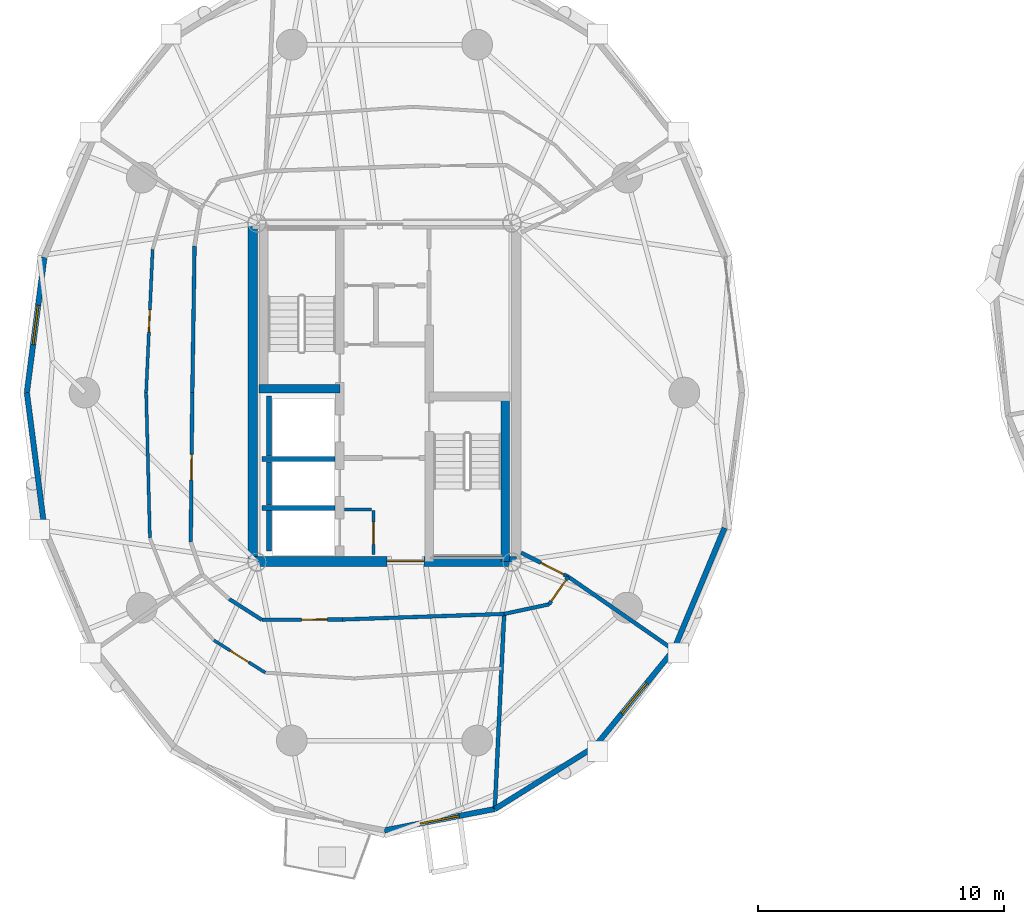
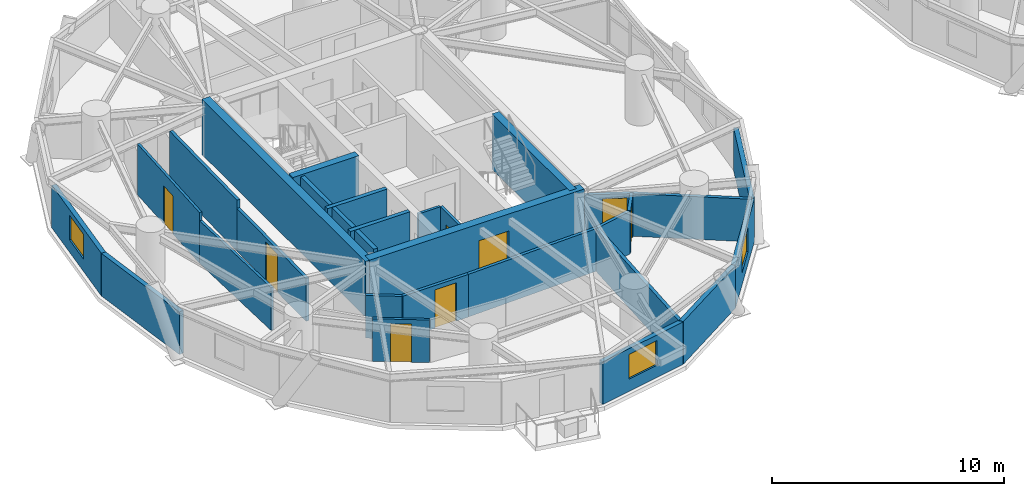
# One storey, part 11 of 19: 30 walls, 8 doors, 3 windows, 11 openings.
"""IFC4 building model written with IfcOpenShell, lengths in metres."""

import ifcopenshell
import ifcopenshell.guid

model = None  # the IFC model being written
_history = None  # IfcOwnerHistory: only IFC2X3 demands one
_inside = {}  # id of a spatial element -> (the spatial element, [elements in it])
_under = {}  # id of a project, library or spatial element -> (it, [spatial elements below it])
_declared = {}  # id of a project -> (the project, [libraries it declares])
_typed = {}  # id of a type object -> (the type object, [elements of that type])
_made_of = {}  # id of a material, layer set ... -> (it, [elements and type objects made of it])


def new_model(schema):
    """Start an empty IFC model of exactly this schema.

    Asked for "IFC4X3", IfcOpenShell would pick the latest addendum, in which some entities
    have other attributes; the version numbers below select the first issue.
    IFC2X3 requires an IfcOwnerHistory on every rooted entity: one is made here for all.
    """
    global model, _history
    if schema == "IFC4X3":
        model = ifcopenshell.file(schema_version=(4, 3, 0, 0))
    else:
        model = ifcopenshell.file(schema=schema)
    _inside.clear()
    _under.clear()
    _declared.clear()
    _typed.clear()
    _made_of.clear()
    _history = None
    if model.schema == "IFC2X3":
        org = make("IfcOrganization", Name="unknown")
        user = make(
            "IfcPersonAndOrganization",
            ThePerson=make("IfcPerson", FamilyName="unknown"),
            TheOrganization=org,
        )
        app = make(
            "IfcApplication",
            ApplicationDeveloper=org,
            Version="unknown",
            ApplicationFullName="unknown",
            ApplicationIdentifier="unknown",
        )
        _history = make(
            "IfcOwnerHistory",
            OwningUser=user,
            OwningApplication=app,
            ChangeAction="ADDED",
            CreationDate=0,
        )
    return model


def make(cls, **values):
    """One entity of the class cls with the attributes given. An attribute that is None is left unset."""
    return model.create_entity(
        cls, **{name: value for name, value in values.items() if value is not None}
    )


def rooted(cls, **values):
    """An entity with a GlobalId (a new one), such as an element, a storey or a relation."""
    return make(cls, GlobalId=ifcopenshell.guid.new(), OwnerHistory=_history, **values)


def si_unit(unit_type, name, prefix=None):
    """IfcSIUnit, for example si_unit("LENGTHUNIT", "METRE", prefix="MILLI")."""
    return make("IfcSIUnit", UnitType=unit_type, Prefix=prefix, Name=name)


def assignment(units):
    """IfcUnitAssignment: the units of a project."""
    return None if units is None else make("IfcUnitAssignment", Units=units)


def point(xyz):
    """IfcCartesianPoint."""
    return None if xyz is None else make("IfcCartesianPoint", Coordinates=xyz)


def direction(xyz):
    """IfcDirection."""
    return None if xyz is None else make("IfcDirection", DirectionRatios=xyz)


def frame(location, z_axis=None, x_axis=None):
    """IfcAxis2Placement3D, a coordinate frame: its origin and axes. An axis left out is left unset."""
    return make(
        "IfcAxis2Placement3D",
        Location=point(location),
        Axis=direction(z_axis),
        RefDirection=direction(x_axis),
    )


def frame_2d(location, x_axis=None):
    """IfcAxis2Placement2D, a coordinate frame in the plane: its origin and x axis."""
    return make(
        "IfcAxis2Placement2D", Location=point(location), RefDirection=direction(x_axis)
    )


def origin():
    """The frame at (0, 0, 0) with its axes left unset."""
    return frame((0.0, 0.0, 0.0))


def place(relative_to, where):
    """IfcLocalPlacement: puts the frame where relative to a parent placement (None: the world)."""
    return make(
        "IfcLocalPlacement", PlacementRelTo=relative_to, RelativePlacement=where
    )


def context(
    kind, dimensions, precision=None, world=None, true_north=None, identifier=None
):
    """IfcGeometricRepresentationContext, for example the 3D "Model" context."""
    return make(
        "IfcGeometricRepresentationContext",
        ContextIdentifier=identifier,
        ContextType=kind,
        CoordinateSpaceDimension=dimensions,
        Precision=precision,
        WorldCoordinateSystem=world,
        TrueNorth=true_north,
    )


def subcontext(parent, identifier, kind, view, scale=None):
    """IfcGeometricRepresentationSubContext, for example "Body" below "Model"."""
    return make(
        "IfcGeometricRepresentationSubContext",
        ContextIdentifier=identifier,
        ContextType=kind,
        ParentContext=parent,
        TargetScale=scale,
        TargetView=view,
    )


def project(units=None, contexts=None):
    """IfcProject with its units and contexts."""
    return rooted(
        "IfcProject",
        Name="project",
        RepresentationContexts=contexts,
        UnitsInContext=assignment(units),
    )


def spatial(cls, under=None, at=None, **own):
    """A site, building, storey or space (cls), placed at a placement, below another one or the project."""
    s = rooted(cls, ObjectPlacement=at, **own)
    if under is not None:
        _under.setdefault(under.id(), (under, []))[1].append(s)
    return s


def profile(cls, at=None, kind="AREA", **sizes):
    """A parametric profile (cls). Its sizes go by their IFC names, for example OverallWidth=200.0."""
    return make(cls, ProfileType=kind, Position=at, **sizes)


def rectangle(**sizes):
    """IfcRectangleProfileDef."""
    return profile("IfcRectangleProfileDef", **sizes)


def extrude(swept, where, along, depth):
    """IfcExtrudedAreaSolid: the profile swept, set in the frame where, extruded along a direction by depth."""
    return make(
        "IfcExtrudedAreaSolid",
        SweptArea=swept,
        Position=where,
        ExtrudedDirection=direction(along),
        Depth=depth,
    )


def shape(context_of_items, identifier, shape_type, items):
    """IfcShapeRepresentation: the items that make up one representation, for example the "Body"."""
    return make(
        "IfcShapeRepresentation",
        ContextOfItems=context_of_items,
        RepresentationIdentifier=identifier,
        RepresentationType=shape_type,
        Items=items,
    )


def source(mapping_origin, context_of_items, identifier, shape_type, items):
    """IfcRepresentationMap: a shape defined once, which mapped items show again and again."""
    return make(
        "IfcRepresentationMap",
        MappingOrigin=mapping_origin,
        MappedRepresentation=shape(context_of_items, identifier, shape_type, items),
    )


def transform(
    local_origin,
    x_axis=None,
    y_axis=None,
    z_axis=None,
    scale=None,
    scale2=None,
    scale3=None,
    uniform=True,
):
    """IfcCartesianTransformationOperator3D, or its non-uniform kind. x_axis, y_axis, z_axis: its Axis1, 2, 3."""
    if uniform:
        return make(
            "IfcCartesianTransformationOperator3D",
            Axis1=direction(x_axis),
            Axis2=direction(y_axis),
            LocalOrigin=point(local_origin),
            Scale=scale,
            Axis3=direction(z_axis),
        )
    return make(
        "IfcCartesianTransformationOperator3DnonUniform",
        Axis1=direction(x_axis),
        Axis2=direction(y_axis),
        LocalOrigin=point(local_origin),
        Scale=scale,
        Axis3=direction(z_axis),
        Scale2=scale2,
        Scale3=scale3,
    )


def mapped(mapping_source, mapping_target):
    """IfcMappedItem: shows the shape of a source again, moved by a transform."""
    return make(
        "IfcMappedItem", MappingSource=mapping_source, MappingTarget=mapping_target
    )


def material(Name=None, Category=None):
    """IfcMaterial."""
    return make("IfcMaterial", Name=Name, Category=Category)


def layer(
    of_material, thickness, ventilated=None, Name=None, Category=None, Priority=None
):
    """IfcMaterialLayer: one layer of a wall or slab, of a material (None: an air gap)."""
    return make(
        "IfcMaterialLayer",
        Material=of_material,
        LayerThickness=thickness,
        IsVentilated=ventilated,
        Name=Name,
        Category=Category,
        Priority=Priority,
    )


def layer_set(layers, Name=None):
    """IfcMaterialLayerSet."""
    return make("IfcMaterialLayerSet", MaterialLayers=layers, LayerSetName=Name)


def made_of(thing, what):
    """Note that an element or type object is made of a material, layer set ...; save() writes the relation."""
    if what is not None:
        _made_of.setdefault(what.id(), (what, []))[1].append(thing)
    return thing


def type_object(cls, material=None, **own):
    """A type object (cls), such as IfcWallType, which elements share."""
    return made_of(rooted(cls, **own), material)


def element(
    cls,
    number,
    at=None,
    inside=None,
    cuts=None,
    type_object=None,
    material=None,
    context=None,
    identifier="Body",
    shape_type=None,
    held_by="IfcProductDefinitionShape",
    body=None,
    shapes=None,
    **own,
):
    """One element of the class cls, such as IfcWall. Its Tag is "e" and its number.

    at: its placement. inside: the storey or other place that contains it. cuts: it is an
    opening in that element (IfcRelVoidsElement). A single representation is given by context,
    identifier, shape_type and body (its items); several are given by shapes. held_by: the class
    of the entity that holds the representations. save() writes the other relations.
    """
    e = rooted(cls, Tag="e%d" % number, ObjectPlacement=at, **own)
    if body is not None:
        shapes = [shape(context, identifier, shape_type, body)]
    if shapes is not None:
        e.Representation = make(held_by, Representations=shapes)
    if inside is not None:
        _inside.setdefault(inside.id(), (inside, []))[1].append(e)
    if cuts is not None:
        rooted(
            "IfcRelVoidsElement", RelatingBuildingElement=cuts, RelatedOpeningElement=e
        )
    if type_object is not None:
        _typed.setdefault(type_object.id(), (type_object, []))[1].append(e)
    return made_of(e, material)


def fill(opening, filler):
    """IfcRelFillsElement: the door or window that sits in an opening."""
    return rooted(
        "IfcRelFillsElement",
        RelatingOpeningElement=opening,
        RelatedBuildingElement=filler,
    )


def aggregate(whole, parts):
    """IfcRelAggregates: a whole, such as a stair, and the parts it consists of."""
    return rooted("IfcRelAggregates", RelatingObject=whole, RelatedObjects=parts)


def save(model, path):
    """Write the relations noted so far, then the file.

    IfcRelAggregates (storeys below a building ...), IfcRelContainedInSpatialStructure (elements
    in a storey), IfcRelDefinesByType, IfcRelAssociatesMaterial and IfcRelDeclares: one each for
    every whole, place, type object, material and project.
    """
    for whole, parts in _under.values():
        aggregate(whole, parts)
    for where, things in _inside.values():
        rooted(
            "IfcRelContainedInSpatialStructure",
            RelatedElements=things,
            RelatingStructure=where,
        )
    for kind, things in _typed.values():
        rooted("IfcRelDefinesByType", RelatedObjects=things, RelatingType=kind)
    for what, things in _made_of.values():
        rooted("IfcRelAssociatesMaterial", RelatedObjects=things, RelatingMaterial=what)
    for by, libraries in _declared.values():
        rooted("IfcRelDeclares", RelatingContext=by, RelatedDefinitions=libraries)
    model.write(path)


model = new_model("IFC4")

# Units and contexts
model_context = context("Model", 3, precision=1e-05, world=origin(), true_north=direction((0.0, 1.0)))
body_context = subcontext(model_context, "Body", "Model", "MODEL_VIEW")
ifc_project = project(units=[si_unit("LENGTHUNIT", "METRE"), si_unit("AREAUNIT", "SQUARE_METRE"), si_unit("VOLUMEUNIT", "CUBIC_METRE"), si_unit("PLANEANGLEUNIT", "RADIAN"), si_unit("MASSUNIT", "GRAM", prefix="KILO")], contexts=[model_context])

# Site, building, storey
site_placement = place(None, origin())
site = spatial("IfcSite", under=ifc_project, at=site_placement, CompositionType="ELEMENT")
building_placement = place(site_placement, origin())
building = spatial("IfcBuilding", under=site, at=building_placement, Name="Cununo Teusaquillo Station Towers", CompositionType="ELEMENT")
storey_placement = place(building_placement, frame((0.0, 0.0, 160.330078125)))
storey = spatial("IfcBuildingStorey", under=building, at=storey_placement, Name="L50", CompositionType="ELEMENT", Elevation=160.330078125)

# Walls
ifc_material_1 = material(Name="Concrete C50/60", Category="concrete")
ifc_layer_1 = layer(ifc_material_1, 0.199951171875)
ifc_layer_set_1 = layer_set([ifc_layer_1], Name="Concrete C50/60")
wall_type_1 = type_object("IfcWallType", Name="WL-CORE-200", PredefinedType="SHEAR", material=ifc_layer_set_1)
wall_1_placement = place(storey_placement, frame((11.52001953125, 21.800048828125, 0.0), z_axis=(0.0, 0.0, 1.0), x_axis=(1.0, 0.0, 0.0)))
element("IfcWall", 1, at=wall_1_placement, inside=storey, type_object=wall_type_1, Name="L50 Tower A Firefighting Lift Shaft South Shear Wall", PredefinedType="SHEAR", context=body_context, shape_type="SweptSolid", body=[
    extrude(rectangle(XDim=2.969970703125, YDim=0.199951171875, at=frame_2d((1.48486328125, 0.0))), origin(), (0.0, 0.0, 1.0), 2.909912109375),
])
wall_2_placement = place(storey_placement, frame((11.820068359375, 21.919921875, 0.0), z_axis=(0.0, 0.0, 1.0), x_axis=(0.0, 1.0, 0.0)))
element("IfcWall", 2, at=wall_2_placement, inside=storey, type_object=wall_type_1, Name="L50 Tower A Firefighting Lift Shaft Rear Shear Wall", PredefinedType="SHEAR", context=body_context, shape_type="SweptSolid", body=[
    extrude(rectangle(XDim=2.440185546875, YDim=0.199951171875, at=frame_2d((1.22021484375, 0.0))), origin(), (0.0, 0.0, 1.0), 2.909912109375),
])
wall_3_placement = place(storey_placement, frame((11.52001953125, 19.824951171875, 0.0), z_axis=(0.0, 0.0, 1.0), x_axis=(1.0, 0.0, 0.0)))
element("IfcWall", 3, at=wall_3_placement, inside=storey, type_object=wall_type_1, Name="L50 Tower A High-Rise Lift Hoistway Divider Shear Wall", PredefinedType="SHEAR", context=body_context, shape_type="SweptSolid", body=[
    extrude(rectangle(XDim=2.969970703125, YDim=0.199951171875, at=frame_2d((1.48486328125, 0.0))), origin(), (0.0, 0.0, 1.0), 2.909912109375),
])
wall_4_placement = place(storey_placement, frame((11.820068359375, 19.945068359375, 0.0), z_axis=(0.0, 0.0, 1.0), x_axis=(0.0, 1.0, 0.0)))
element("IfcWall", 4, at=wall_4_placement, inside=storey, type_object=wall_type_1, Name="L50 Tower A High-Rise Lift 2 Shaft Rear Shear Wall", PredefinedType="SHEAR", context=body_context, shape_type="SweptSolid", body=[
    extrude(rectangle(XDim=1.73486328125, YDim=0.199951171875, at=frame_2d((0.867431640625, 0.0))), origin(), (0.0, 0.0, 1.0), 2.909912109375),
])
wall_5_placement = place(storey_placement, frame((11.820068359375, 18.070068359375, 0.0), z_axis=(0.0, 0.0, 1.0), x_axis=(0.0, 1.0, 0.0)))
element("IfcWall", 5, at=wall_5_placement, inside=storey, type_object=wall_type_1, Name="L50 Tower A High-Rise Lift 1 Shaft Rear Shear Wall", PredefinedType="SHEAR", context=body_context, shape_type="SweptSolid", body=[
    extrude(rectangle(XDim=1.635009765625, YDim=0.199951171875, at=frame_2d((0.8173828125, 0.0))), origin(), (0.0, 0.0, 1.0), 2.909912109375),
])
ifc_material_2 = material(Name="Concrete C50/60", Category="concrete")
ifc_layer_2 = layer(ifc_material_2, 0.35009765625)
ifc_layer_set_2 = layer_set([ifc_layer_2], Name="Concrete C50/60")
wall_type_2 = type_object("IfcWallType", Name="WL-CORE-350", PredefinedType="SHEAR", material=ifc_layer_set_2)
wall_6_placement = place(storey_placement, frame((11.39990234375, 24.655029296875, 0.0), z_axis=(0.0, 0.0, 1.0), x_axis=(1.0, 0.0, 0.0)))
element("IfcWall", 6, at=wall_6_placement, inside=storey, type_object=wall_type_2, Name="L50 Tower A Core Shear Wall ST1S", PredefinedType="SHEAR", context=body_context, shape_type="SweptSolid", body=[
    extrude(rectangle(XDim=3.28515625, YDim=0.35009765625, at=frame_2d((1.642578125, 0.0))), origin(), (0.0, 0.0, 1.0), 2.909912109375),
])
wall_7_placement = place(storey_placement, frame((21.405029296875, 17.64990234375, 0.0), z_axis=(0.0, 0.0, 1.0), x_axis=(0.0, 1.0, 0.0)))
element("IfcWall", 7, at=wall_7_placement, inside=storey, type_object=wall_type_2, Name="L50 Tower A Core Shear Wall ST2E", PredefinedType="SHEAR", context=body_context, shape_type="SweptSolid", body=[
    extrude(rectangle(XDim=6.695068359375, YDim=0.35009765625, at=frame_2d((3.34765625, 0.0))), origin(), (0.0, 0.0, 1.0), 2.909912109375),
])
ifc_material_3 = material(Name="Concrete C50/60", Category="concrete")
ifc_layer_3 = layer(ifc_material_3, 0.39990234375)
ifc_layer_set_3 = layer_set([ifc_layer_3], Name="Concrete C50/60")
wall_type_3 = type_object("IfcWallType", Name="WL-CORE-400", PredefinedType="SHEAR", material=ifc_layer_set_3)
wall_8_placement = place(storey_placement, frame((11.14990234375, 17.449951171875, 0.0), z_axis=(0.0, 0.0, 1.0), x_axis=(0.0, 1.0, 0.0)))
element("IfcWall", 8, at=wall_8_placement, inside=storey, type_object=wall_type_3, Name="L50 Tower A Core Shear Wall W", PredefinedType="SHEAR", context=body_context, shape_type="SweptSolid", body=[
    extrude(rectangle(XDim=14.10009765625, YDim=0.39990234375, at=frame_2d((7.050048828125, 0.0))), origin(), (0.0, 0.0, 1.0), 2.909912109375),
])

# Wall, opening, door
wall_9_placement = place(storey_placement, frame((11.14990234375, 17.64990234375, 0.0), z_axis=(0.0, 0.0, 1.0), x_axis=(1.0, 0.0, 0.0)))
wall_9 = element("IfcWall", 9, at=wall_9_placement, inside=storey, type_object=wall_type_3, Name="L50 Tower A Core Shear Wall S", PredefinedType="SHEAR", context=body_context, shape_type="SweptSolid", body=[
    extrude(rectangle(XDim=10.7001953125, YDim=0.39990234375, at=frame_2d((5.35009765625, 0.0))), origin(), (0.0, 0.0, 1.0), 2.909912109375),
])
shared_shape_1 = source(origin(), body_context, "Body", "SweptSolid", [
    extrude(rectangle(XDim=1.5, YDim=2.02001953125, at=frame_2d((0.75, 1.010009765625))), frame((0.0, 0.2099609375, 0.0), z_axis=(0.0, -1.0, 0.0), x_axis=(1.0, 0.0, 0.0)), (0.0, 0.0, 1.0), 0.419921875),
])
opening_1_placement = place(wall_9_placement, frame((5.449951171875, 0.0, 0.0)))
opening_1 = element("IfcOpeningElement", 10, at=opening_1_placement, cuts=wall_9, Name="Opening D-LB1", PredefinedType="OPENING", context=body_context, shape_type="MappedRepresentation", body=[
    mapped(shared_shape_1, transform((0.0, 0.0, 0.0), x_axis=(1.0, 0.0, 0.0), y_axis=(0.0, 1.0, 0.0), z_axis=(0.0, 0.0, 1.0), scale=1.0)),
])
ifc_material_4 = material(Name="Galvanised fire-rated hollow steel door assembly", Category="steel")
door_type_1 = type_object("IfcDoorType", Name="DR-LOBBY-1500", OperationType="DOUBLE_DOOR_SINGLE_SWING", PredefinedType="DOOR", material=ifc_material_4)
shared_shape_2 = source(origin(), body_context, "Body", "SweptSolid", [
    extrude(rectangle(XDim=1.5, YDim=2.02001953125, at=frame_2d((0.75, 1.010009765625))), frame((0.0, 0.02490234375, 0.0), z_axis=(0.0, -1.0, 0.0), x_axis=(1.0, 0.0, 0.0)), (0.0, 0.0, 1.0), 0.050048828125),
])
door_1_placement = place(opening_1_placement, origin())
door_1 = element("IfcDoor", 11, at=door_1_placement, inside=storey, type_object=door_type_1, Name="L50 Tower A South Core Lift Lobby Door", OperationType="DOUBLE_DOOR_SINGLE_SWING", OverallHeight=2.02001953125, OverallWidth=1.5, PredefinedType="DOOR", context=body_context, shape_type="MappedRepresentation", body=[
    mapped(shared_shape_2, transform((0.0, 0.0, 0.0), x_axis=(1.0, 0.0, 0.0), y_axis=(0.0, 1.0, 0.0), z_axis=(0.0, 0.0, 1.0), scale=1.0)),
])
fill(opening_1, door_1)

# Wall, opening, window
ifc_material_5 = material(Name="Precast concrete C40/50", Category="concrete")
ifc_layer_4 = layer(ifc_material_5, 0.219970703125)
ifc_layer_set_4 = layer_set([ifc_layer_4], Name="Precast concrete C40/50")
wall_type_4 = type_object("IfcWallType", Name="WL-EXT-220", PredefinedType="SOLIDWALL", material=ifc_layer_set_4)
wall_10_placement = place(storey_placement, frame((1.985107421875, 24.5, 0.0), z_axis=(0.0, 0.0, 1.0), x_axis=(0.128266533912, 0.991739732126, 0.0)))
wall_10 = element("IfcWall", 12, at=wall_10_placement, inside=storey, type_object=wall_type_4, Name="L50 Tower A Exterior Facade Wall C09", PredefinedType="SOLIDWALL", context=body_context, shape_type="SweptSolid", body=[
    extrude(rectangle(XDim=5.536865234375, YDim=0.219970703125, at=frame_2d((2.7685546875, 0.0))), origin(), (0.0, 0.0, 1.0), 2.244873046875),
])
shared_shape_3 = source(origin(), body_context, "Body", "SweptSolid", [
    extrude(rectangle(XDim=1.60009765625, YDim=1.300048828125, at=frame_2d((0.800048828125, 0.64990234375))), frame((0.0, 0.119873046875, 0.0), z_axis=(0.0, -1.0, 0.0), x_axis=(1.0, 0.0, 0.0)), (0.0, 0.0, 1.0), 0.239990234375),
])
opening_2_placement = place(wall_10_placement, frame((1.968017578125, 0.0, 0.64990234375)))
opening_2 = element("IfcOpeningElement", 13, at=opening_2_placement, cuts=wall_10, Name="Opening WN-03", PredefinedType="OPENING", context=body_context, shape_type="MappedRepresentation", body=[
    mapped(shared_shape_3, transform((0.0, 0.0, 0.0), x_axis=(1.0, 0.0, 0.0), y_axis=(0.0, 1.0, 0.0), z_axis=(0.0, 0.0, 1.0), scale=1.0)),
])
ifc_material_6 = material(Name="Ceramic-fritted dark low-E double glazing", Category="glass")
window_type = type_object("IfcWindowType", Name="WIN-CORN-1600", PartitioningType="SINGLE_PANEL", PredefinedType="WINDOW", material=ifc_material_6)
shared_shape_4 = source(origin(), body_context, "Body", "SweptSolid", [
    extrude(rectangle(XDim=1.60009765625, YDim=1.300048828125, at=frame_2d((0.800048828125, 0.64990234375))), frame((0.0, 0.030029296875, 0.0), z_axis=(0.0, -1.0, 0.0), x_axis=(1.0, 0.0, 0.0)), (0.0, 0.0, 1.0), 0.06005859375),
])
window_1_placement = place(opening_2_placement, origin())
window_1 = element("IfcWindow", 14, at=window_1_placement, inside=storey, type_object=window_type, Name="L50 Tower A Facade Window C09", OverallHeight=1.300048828125, OverallWidth=1.60009765625, PartitioningType="SINGLE_PANEL", PredefinedType="WINDOW", context=body_context, shape_type="MappedRepresentation", body=[
    mapped(shared_shape_4, transform((0.0, 0.0, 0.0), x_axis=(1.0, 0.0, 0.0), y_axis=(0.0, 1.0, 0.0), z_axis=(0.0, 0.0, 1.0), scale=1.0)),
])
fill(opening_2, window_1)

# Wall
wall_11_placement = place(storey_placement, frame((2.6953125, 19.0087890625, 0.0), z_axis=(0.0, 0.0, 1.0), x_axis=(-0.128266533912, 0.991739732126, 0.0)))
element("IfcWall", 15, at=wall_11_placement, inside=storey, type_object=wall_type_4, Name="L50 Tower A Exterior Facade Wall C10", PredefinedType="SOLIDWALL", context=body_context, shape_type="SweptSolid", body=[
    extrude(rectangle(XDim=5.536865234375, YDim=0.219970703125, at=frame_2d((2.7685546875, 0.0))), origin(), (0.0, 0.0, 1.0), 2.244873046875),
])

# Wall, opening, window
wall_12_placement = place(storey_placement, frame((20.9853515625, 7.599609375, 0.0), z_axis=(0.0, 0.0, 1.0), x_axis=(-0.981718699963, -0.190337579429, 0.0)))
wall_12 = element("IfcWall", 16, at=wall_12_placement, inside=storey, type_object=wall_type_4, Name="L50 Tower A Exterior Facade Wall C15", PredefinedType="SOLIDWALL", context=body_context, shape_type="SweptSolid", body=[
    extrude(rectangle(XDim=4.56884765625, YDim=0.219970703125, at=frame_2d((2.284423828125, 0.0))), origin(), (0.0, 0.0, 1.0), 2.244873046875),
])
opening_3_placement = place(wall_12_placement, frame((1.48388671875, 0.0, 0.64990234375)))
opening_3 = element("IfcOpeningElement", 17, at=opening_3_placement, cuts=wall_12, Name="Opening WN-03", PredefinedType="OPENING", context=body_context, shape_type="MappedRepresentation", body=[
    mapped(shared_shape_3, transform((0.0, 0.0, 0.0), x_axis=(1.0, 0.0, 0.0), y_axis=(0.0, 1.0, 0.0), z_axis=(0.0, 0.0, 1.0), scale=1.0)),
])
window_2_placement = place(opening_3_placement, origin())
window_2 = element("IfcWindow", 18, at=window_2_placement, inside=storey, type_object=window_type, Name="L50 Tower A Facade Window C15", OverallHeight=1.300048828125, OverallWidth=1.60009765625, PartitioningType="SINGLE_PANEL", PredefinedType="WINDOW", context=body_context, shape_type="MappedRepresentation", body=[
    mapped(shared_shape_4, transform((0.0, 0.0, 0.0), x_axis=(1.0, 0.0, 0.0), y_axis=(0.0, 1.0, 0.0), z_axis=(0.0, 0.0, 1.0), scale=1.0)),
])
fill(opening_3, window_2)

# Wall
wall_13_placement = place(storey_placement, frame((25.03173828125, 10.123779296875, 0.0), z_axis=(0.0, 0.0, 1.0), x_axis=(-0.848452391194, -0.529271707044, 0.0)))
element("IfcWall", 19, at=wall_13_placement, inside=storey, type_object=wall_type_4, Name="L50 Tower A Exterior Facade Wall C16", PredefinedType="SOLIDWALL", context=body_context, shape_type="SweptSolid", body=[
    extrude(rectangle(XDim=4.76904296875, YDim=0.219970703125, at=frame_2d((2.384521484375, 0.0))), origin(), (0.0, 0.0, 1.0), 2.244873046875),
])

# Wall, opening, window
wall_14_placement = place(storey_placement, frame((28.242919921875, 14.05517578125, 0.0), z_axis=(0.0, 0.0, 1.0), x_axis=(-0.632598524901, -0.774479894053, 0.0)))
wall_14 = element("IfcWall", 20, at=wall_14_placement, inside=storey, type_object=wall_type_4, Name="L50 Tower A Exterior Facade Wall C17", PredefinedType="SOLIDWALL", context=body_context, shape_type="SweptSolid", body=[
    extrude(rectangle(XDim=5.076171875, YDim=0.219970703125, at=frame_2d((2.5380859375, 0.0))), origin(), (0.0, 0.0, 1.0), 2.244873046875),
])
opening_4_placement = place(wall_14_placement, frame((1.738037109375, 0.0, 0.64990234375)))
opening_4 = element("IfcOpeningElement", 21, at=opening_4_placement, cuts=wall_14, Name="Opening WN-03", PredefinedType="OPENING", context=body_context, shape_type="MappedRepresentation", body=[
    mapped(shared_shape_3, transform((0.0, 0.0, 0.0), x_axis=(1.0, 0.0, 0.0), y_axis=(0.0, 1.0, 0.0), z_axis=(0.0, 0.0, 1.0), scale=1.0)),
])
window_3_placement = place(opening_4_placement, origin())
window_3 = element("IfcWindow", 22, at=window_3_placement, inside=storey, type_object=window_type, Name="L50 Tower A Facade Window C17", OverallHeight=1.300048828125, OverallWidth=1.60009765625, PartitioningType="SINGLE_PANEL", PredefinedType="WINDOW", context=body_context, shape_type="MappedRepresentation", body=[
    mapped(shared_shape_4, transform((0.0, 0.0, 0.0), x_axis=(1.0, 0.0, 0.0), y_axis=(0.0, 1.0, 0.0), z_axis=(0.0, 0.0, 1.0), scale=1.0)),
])
fill(opening_4, window_3)

# Wall
wall_15_placement = place(storey_placement, frame((30.3046875, 19.0087890625, 0.0), z_axis=(0.0, 0.0, 1.0), x_axis=(-0.384259959969, -0.923224936386, 0.0)))
element("IfcWall", 23, at=wall_15_placement, inside=storey, type_object=wall_type_4, Name="L50 Tower A Exterior Facade Wall C18", PredefinedType="SOLIDWALL", context=body_context, shape_type="SweptSolid", body=[
    extrude(rectangle(XDim=5.365478515625, YDim=0.219970703125, at=frame_2d((2.6826171875, 0.0))), origin(), (0.0, 0.0, 1.0), 2.244873046875),
])

# Wall, opening, door
ifc_material_7 = material(Name="Fire-rated gypsum plasterboard partition assembly", Category="gypsum")
ifc_layer_5 = layer(ifc_material_7, 0.125)
ifc_layer_set_5 = layer_set([ifc_layer_5], Name="Fire-rated gypsum plasterboard partition assembly")
wall_type_5 = type_object("IfcWallType", Name="WL-PART-125", PredefinedType="PARTITIONING", material=ifc_layer_set_5)
wall_16_placement = place(storey_placement, frame((16.050048828125, 17.919921875, 0.0), z_axis=(0.0, 0.0, 1.0), x_axis=(0.0, 1.0, 0.0)))
wall_16 = element("IfcWall", 24, at=wall_16_placement, inside=storey, type_object=wall_type_5, Name="L50 Tower A South-West Compact Store East Wall", PredefinedType="PARTITIONING", context=body_context, shape_type="SweptSolid", body=[
    extrude(rectangle(XDim=1.800048828125, YDim=0.125, at=frame_2d((0.89990234375, 0.0))), origin(), (0.0, 0.0, 1.0), 2.6748046875),
])
shared_shape_5 = source(origin(), body_context, "Body", "SweptSolid", [
    extrude(rectangle(XDim=0.89990234375, YDim=2.0048828125, at=frame_2d((0.449951171875, 1.00244140625))), frame((0.0, 0.072509765625, 0.0), z_axis=(0.0, -1.0, 0.0), x_axis=(1.0, 0.0, 0.0)), (0.0, 0.0, 1.0), 0.14501953125),
])
opening_5_placement = place(wall_16_placement, frame((0.419921875, 0.0, 0.0)))
opening_5 = element("IfcOpeningElement", 25, at=opening_5_placement, cuts=wall_16, Name="Opening D-SR1", PredefinedType="OPENING", context=body_context, shape_type="MappedRepresentation", body=[
    mapped(shared_shape_5, transform((0.0, 0.0, 0.0), x_axis=(1.0, 0.0, 0.0), y_axis=(0.0, 1.0, 0.0), z_axis=(0.0, 0.0, 1.0), scale=1.0)),
])
ifc_material_8 = material(Name="Galvanised fire-rated hollow steel door assembly", Category="steel")
door_type_2 = type_object("IfcDoorType", Name="DR-STORE-900", OperationType="NOTDEFINED", PredefinedType="DOOR", material=ifc_material_8)
shared_shape_6 = source(origin(), body_context, "Body", "SweptSolid", [
    extrude(rectangle(XDim=0.89990234375, YDim=2.0048828125, at=frame_2d((0.449951171875, 1.00244140625))), frame((0.0, 0.02490234375, 0.0), z_axis=(0.0, -1.0, 0.0), x_axis=(1.0, 0.0, 0.0)), (0.0, 0.0, 1.0), 0.050048828125),
])
door_2_placement = place(opening_5_placement, origin())
door_2 = element("IfcDoor", 26, at=door_2_placement, inside=storey, type_object=door_type_2, Name="L50 Tower A Core Electrical & Comms Store Door", OperationType="SINGLE_SWING_RIGHT", OverallHeight=2.0048828125, OverallWidth=0.89990234375, PredefinedType="DOOR", context=body_context, shape_type="MappedRepresentation", body=[
    mapped(shared_shape_6, transform((0.0, 0.0, 0.0), x_axis=(1.0, 0.0, 0.0), y_axis=(0.0, 1.0, 0.0), z_axis=(0.0, 0.0, 1.0), scale=1.0)),
])
fill(opening_5, door_2)

# Wall
wall_17_placement = place(storey_placement, frame((14.8798828125, 19.75, 0.0), z_axis=(0.0, 0.0, 1.0), x_axis=(1.0, 0.0, 0.0)))
element("IfcWall", 27, at=wall_17_placement, inside=storey, type_object=wall_type_5, Name="L50 Tower A South-West Compact Store North Wall", PredefinedType="PARTITIONING", context=body_context, shape_type="SweptSolid", body=[
    extrude(rectangle(XDim=1.10009765625, YDim=0.125, at=frame_2d((0.550048828125, 0.0))), origin(), (0.0, 0.0, 1.0), 2.6748046875),
])

# Wall, opening, door
wall_18_placement = place(storey_placement, frame((7.08935546875, 30.317138671875, 0.0), z_axis=(0.0, 0.0, 1.0), x_axis=(-0.045322079706, -0.998972426592, 0.0)))
wall_18 = element("IfcWall", 28, at=wall_18_placement, inside=storey, type_object=wall_type_5, Name="L50 Tower A Sabana Wellness & Spa Lounge Concentric Partition Wall C09", PredefinedType="PARTITIONING", context=body_context, shape_type="SweptSolid", body=[
    extrude(rectangle(XDim=5.8232421875, YDim=0.125, at=frame_2d((2.91162109375, 0.0))), origin(), (0.0, 0.0, 1.0), 2.6748046875),
])
opening_6_placement = place(wall_18_placement, frame((2.461669921875, 0.0, 0.0)))
opening_6 = element("IfcOpeningElement", 29, at=opening_6_placement, cuts=wall_18, Name="Opening D-IN1", PredefinedType="OPENING", context=body_context, shape_type="MappedRepresentation", body=[
    mapped(shared_shape_5, transform((0.0, 0.0, 0.0), x_axis=(1.0, 0.0, 0.0), y_axis=(0.0, 1.0, 0.0), z_axis=(0.0, 0.0, 1.0), scale=1.0)),
])
ifc_material_9 = material(Name="Acoustic solid-core hardwood leaf assembly", Category="wood")
door_type_3 = type_object("IfcDoorType", Name="DR-INT-900", OperationType="NOTDEFINED", PredefinedType="DOOR", material=ifc_material_9)
door_3_placement = place(opening_6_placement, origin())
door_3 = element("IfcDoor", 30, at=door_3_placement, inside=storey, type_object=door_type_3, Name="L50 Tower A Sabana Wellness & Spa Lounge Connecting Door", OperationType="SINGLE_SWING_LEFT", OverallHeight=2.0048828125, OverallWidth=0.89990234375, PredefinedType="DOOR", context=body_context, shape_type="MappedRepresentation", body=[
    mapped(shared_shape_6, transform((0.0, 0.0, 0.0), x_axis=(1.0, 0.0, 0.0), y_axis=(0.0, 1.0, 0.0), z_axis=(0.0, 0.0, 1.0), scale=1.0)),
])
fill(opening_6, door_3)

# Wall
wall_19_placement = place(storey_placement, frame((6.825439453125, 24.5, 0.0), z_axis=(0.0, 0.0, 1.0), x_axis=(0.025845586866, -0.999665947024, 0.0)))
element("IfcWall", 31, at=wall_19_placement, inside=storey, type_object=wall_type_5, Name="L50 Tower A Sabana Wellness & Spa Lounge Concentric Partition Wall C10", PredefinedType="PARTITIONING", context=body_context, shape_type="SweptSolid", body=[
    extrude(rectangle(XDim=5.90380859375, YDim=0.125, at=frame_2d((2.951904296875, 0.0))), origin(), (0.0, 0.0, 1.0), 2.244873046875),
])

# Wall, opening, door
wall_20_placement = place(storey_placement, frame((9.57568359375, 14.44677734375, 0.0), z_axis=(0.0, 0.0, 1.0), x_axis=(0.845905204383, -0.53333327779, 0.0)))
wall_20 = element("IfcWall", 32, at=wall_20_placement, inside=storey, type_object=wall_type_5, Name="L50 Tower A Cordillera Executive Conference Salon Concentric Partition Wall C13", PredefinedType="PARTITIONING", context=body_context, shape_type="SweptSolid", body=[
    extrude(rectangle(XDim=2.465087890625, YDim=0.125, at=frame_2d((1.232421875, 0.0))), origin(), (0.0, 0.0, 1.0), 2.244873046875),
])
opening_7_placement = place(wall_20_placement, frame((0.782470703125, 0.0, 0.0)))
opening_7 = element("IfcOpeningElement", 33, at=opening_7_placement, cuts=wall_20, Name="Opening D-IN1", PredefinedType="OPENING", context=body_context, shape_type="MappedRepresentation", body=[
    mapped(shared_shape_5, transform((0.0, 0.0, 0.0), x_axis=(1.0, 0.0, 0.0), y_axis=(0.0, 1.0, 0.0), z_axis=(0.0, 0.0, 1.0), scale=1.0)),
])
door_4_placement = place(opening_7_placement, origin())
door_4 = element("IfcDoor", 34, at=door_4_placement, inside=storey, type_object=door_type_3, Name="L50 Tower A Cordillera Executive Conference Salon Connecting Door", OperationType="SINGLE_SWING_LEFT", OverallHeight=2.0048828125, OverallWidth=0.89990234375, PredefinedType="DOOR", context=body_context, shape_type="MappedRepresentation", body=[
    mapped(shared_shape_6, transform((0.0, 0.0, 0.0), x_axis=(1.0, 0.0, 0.0), y_axis=(0.0, 1.0, 0.0), z_axis=(0.0, 0.0, 1.0), scale=1.0)),
])
fill(opening_7, door_4)

# Wall
ifc_material_10 = material(Name="Fire-rated gypsum plasterboard partition assembly", Category="gypsum")
ifc_layer_6 = layer(ifc_material_10, 0.14990234375)
ifc_layer_set_6 = layer_set([ifc_layer_6], Name="Fire-rated gypsum plasterboard partition assembly")
wall_type_6 = type_object("IfcWallType", Name="WL-PART-150", PredefinedType="PARTITIONING", material=ifc_layer_set_6)
wall_21_placement = place(storey_placement, frame((8.79052734375, 30.4462890625, 0.0), z_axis=(0.0, 0.0, 1.0), x_axis=(-0.015230619426, -0.999884007389, 0.0)))
element("IfcWall", 35, at=wall_21_placement, inside=storey, type_object=wall_type_6, Name="L50 Tower A Corridor Ring Wall C09", PredefinedType="PARTITIONING", context=body_context, shape_type="SweptSolid", body=[
    extrude(rectangle(XDim=5.947021484375, YDim=0.14990234375, at=frame_2d((2.9736328125, 0.0))), origin(), (0.0, 0.0, 1.0), 2.6748046875),
])

# Wall, opening, door
wall_22_placement = place(storey_placement, frame((8.699951171875, 24.5, 0.0), z_axis=(0.0, 0.0, 1.0), x_axis=(-0.010507512335, -0.999944794568, 0.0)))
wall_22 = element("IfcWall", 36, at=wall_22_placement, inside=storey, type_object=wall_type_6, Name="L50 Tower A Corridor Ring Wall C10", PredefinedType="PARTITIONING", context=body_context, shape_type="SweptSolid", body=[
    extrude(rectangle(XDim=6.064208984375, YDim=0.14990234375, at=frame_2d((3.0322265625, 0.0))), origin(), (0.0, 0.0, 1.0), 2.244873046875),
])
shared_shape_7 = source(origin(), body_context, "Body", "SweptSolid", [
    extrude(rectangle(XDim=1.050048828125, YDim=2.014892578125, at=frame_2d((0.52490234375, 1.00732421875))), frame((0.0, 0.0849609375, 0.0), z_axis=(0.0, -1.0, 0.0), x_axis=(1.0, 0.0, 0.0)), (0.0, 0.0, 1.0), 0.169921875),
])
opening_8_placement = place(wall_22_placement, frame((2.507080078125, 0.0, 0.0)))
opening_8 = element("IfcOpeningElement", 37, at=opening_8_placement, cuts=wall_22, Name="Opening D-SU1", PredefinedType="OPENING", context=body_context, shape_type="MappedRepresentation", body=[
    mapped(shared_shape_7, transform((0.0, 0.0, 0.0), x_axis=(1.0, 0.0, 0.0), y_axis=(0.0, 1.0, 0.0), z_axis=(0.0, 0.0, 1.0), scale=1.0)),
])
ifc_material_11 = material(Name="Acoustic solid-core hardwood leaf assembly", Category="wood")
door_type_4 = type_object("IfcDoorType", Name="DR-SUITE-1050", OperationType="NOTDEFINED", PredefinedType="DOOR", material=ifc_material_11)
shared_shape_8 = source(origin(), body_context, "Body", "SweptSolid", [
    extrude(rectangle(XDim=1.050048828125, YDim=2.014892578125, at=frame_2d((0.52490234375, 1.00732421875))), frame((0.0, 0.02490234375, 0.0), z_axis=(0.0, -1.0, 0.0), x_axis=(1.0, 0.0, 0.0)), (0.0, 0.0, 1.0), 0.050048828125),
])
door_5_placement = place(opening_8_placement, origin())
door_5 = element("IfcDoor", 38, at=door_5_placement, inside=storey, type_object=door_type_4, Name="L50 Tower A Sabana Wellness & Spa Lounge Entrance Door", OperationType="SINGLE_SWING_RIGHT", OverallHeight=2.014892578125, OverallWidth=1.050048828125, PredefinedType="DOOR", context=body_context, shape_type="MappedRepresentation", body=[
    mapped(shared_shape_8, transform((0.0, 0.0, 0.0), x_axis=(1.0, 0.0, 0.0), y_axis=(0.0, 1.0, 0.0), z_axis=(0.0, 0.0, 1.0), scale=1.0)),
])
fill(opening_8, door_5)

# Wall
wall_23_placement = place(storey_placement, frame((10.1962890625, 16.12158203125, 0.0), z_axis=(0.0, 0.0, 1.0), x_axis=(0.843021142441, -0.537880426673, 0.0)))
element("IfcWall", 39, at=wall_23_placement, inside=storey, type_object=wall_type_6, Name="L50 Tower A Corridor Ring Wall C13", PredefinedType="PARTITIONING", context=body_context, shape_type="SweptSolid", body=[
    extrude(rectangle(XDim=1.5712890625, YDim=0.14990234375, at=frame_2d((0.78564453125, 0.0))), origin(), (0.0, 0.0, 1.0), 2.244873046875),
])

# Wall, opening, door
wall_24_placement = place(storey_placement, frame((11.52099609375, 15.2763671875, 0.0), z_axis=(0.0, 0.0, 1.0), x_axis=(0.999990688463, 0.004315436007, 0.0)))
wall_24 = element("IfcWall", 40, at=wall_24_placement, inside=storey, type_object=wall_type_6, Name="L50 Tower A Corridor Ring Wall C14", PredefinedType="PARTITIONING", context=body_context, shape_type="SweptSolid", body=[
    extrude(rectangle(XDim=3.28125, YDim=0.14990234375, at=frame_2d((1.640625, 0.0))), origin(), (0.0, 0.0, 1.0), 2.244873046875),
])
opening_9_placement = place(wall_24_placement, frame((1.61328125, 0.0, 0.0)))
opening_9 = element("IfcOpeningElement", 41, at=opening_9_placement, cuts=wall_24, Name="Opening D-SU1", PredefinedType="OPENING", context=body_context, shape_type="MappedRepresentation", body=[
    mapped(shared_shape_7, transform((0.0, 0.0, 0.0), x_axis=(1.0, 0.0, 0.0), y_axis=(0.0, 1.0, 0.0), z_axis=(0.0, 0.0, 1.0), scale=1.0)),
])
door_6_placement = place(opening_9_placement, origin())
door_6 = element("IfcDoor", 42, at=door_6_placement, inside=storey, type_object=door_type_4, Name="L50 Tower A Cordillera Executive Conference Salon Entrance Door", OperationType="SINGLE_SWING_RIGHT", OverallHeight=2.014892578125, OverallWidth=1.050048828125, PredefinedType="DOOR", context=body_context, shape_type="MappedRepresentation", body=[
    mapped(shared_shape_8, transform((0.0, 0.0, 0.0), x_axis=(1.0, 0.0, 0.0), y_axis=(0.0, 1.0, 0.0), z_axis=(0.0, 0.0, 1.0), scale=1.0)),
])
fill(opening_9, door_6)

# Walls
wall_25_placement = place(storey_placement, frame((14.80224609375, 15.29052734375, 0.0), z_axis=(0.0, 0.0, 1.0), x_axis=(0.999405778293, 0.034468686011, 0.0)))
element("IfcWall", 43, at=wall_25_placement, inside=storey, type_object=wall_type_6, Name="L50 Tower A Corridor Ring Wall C15", PredefinedType="PARTITIONING", context=body_context, shape_type="SweptSolid", body=[
    extrude(rectangle(XDim=6.558837890625, YDim=0.14990234375, at=frame_2d((3.279296875, 0.0))), origin(), (0.0, 0.0, 1.0), 2.244873046875),
])
wall_26_placement = place(storey_placement, frame((21.357177734375, 15.5166015625, 0.0), z_axis=(0.0, 0.0, 1.0), x_axis=(0.977773676035, 0.209663154733, 0.0)))
element("IfcWall", 44, at=wall_26_placement, inside=storey, type_object=wall_type_6, Name="L50 Tower A Corridor Ring Wall C16", PredefinedType="PARTITIONING", context=body_context, shape_type="SweptSolid", body=[
    extrude(rectangle(XDim=1.865478515625, YDim=0.14990234375, at=frame_2d((0.9326171875, 0.0))), origin(), (0.0, 0.0, 1.0), 2.244873046875),
])

# Wall, opening, door
wall_27_placement = place(storey_placement, frame((23.18115234375, 15.90771484375, 0.0), z_axis=(0.0, 0.0, 1.0), x_axis=(0.571342842249, 0.820711494138, 0.0)))
wall_27 = element("IfcWall", 45, at=wall_27_placement, inside=storey, type_object=wall_type_6, Name="L50 Tower A Corridor Ring Wall C17", PredefinedType="PARTITIONING", context=body_context, shape_type="SweptSolid", body=[
    extrude(rectangle(XDim=1.36181640625, YDim=0.14990234375, at=frame_2d((0.680908203125, 0.0))), origin(), (0.0, 0.0, 1.0), 2.244873046875),
])
opening_10_placement = place(wall_27_placement, frame((0.156005859375, 0.0, 0.0)))
opening_10 = element("IfcOpeningElement", 46, at=opening_10_placement, cuts=wall_27, Name="Opening D-SU1", PredefinedType="OPENING", context=body_context, shape_type="MappedRepresentation", body=[
    mapped(shared_shape_7, transform((0.0, 0.0, 0.0), x_axis=(1.0, 0.0, 0.0), y_axis=(0.0, 1.0, 0.0), z_axis=(0.0, 0.0, 1.0), scale=1.0)),
])
door_7_placement = place(opening_10_placement, origin())
door_7 = element("IfcDoor", 47, at=door_7_placement, inside=storey, type_object=door_type_4, Name="L50 Tower A Hotel Housekeeping & Linen Pantry Entrance Door", OperationType="SINGLE_SWING_RIGHT", OverallHeight=2.014892578125, OverallWidth=1.050048828125, PredefinedType="DOOR", context=body_context, shape_type="MappedRepresentation", body=[
    mapped(shared_shape_8, transform((0.0, 0.0, 0.0), x_axis=(1.0, 0.0, 0.0), y_axis=(0.0, 1.0, 0.0), z_axis=(0.0, 0.0, 1.0), scale=1.0)),
])
fill(opening_10, door_7)

# Walls
ifc_material_12 = material(Name="Fire-rated gypsum plasterboard partition assembly", Category="gypsum")
ifc_layer_7 = layer(ifc_material_12, 0.159912109375)
ifc_layer_set_7 = layer_set([ifc_layer_7], Name="Fire-rated gypsum plasterboard partition assembly")
wall_type_7 = type_object("IfcWallType", Name="WL-PART-160", PredefinedType="PARTITIONING", material=ifc_layer_set_7)
wall_28_placement = place(storey_placement, frame((21.357177734375, 15.5166015625, 0.0), z_axis=(0.0, 0.0, 1.0), x_axis=(-0.047796931987, -0.998857073506, 0.0)))
element("IfcWall", 48, at=wall_28_placement, inside=storey, type_object=wall_type_7, Name="L50 Tower A Radial Suite Partition R05", PredefinedType="PARTITIONING", context=body_context, shape_type="SweptSolid", body=[
    extrude(rectangle(XDim=7.906982421875, YDim=0.159912109375, at=frame_2d((3.95361328125, 0.0))), origin(), (0.0, 0.0, 1.0), 2.244873046875),
])
wall_29_placement = place(storey_placement, frame((23.959228515625, 17.025390625, 0.0), z_axis=(0.0, 0.0, 1.0), x_axis=(0.821829818265, -0.569733051358, 0.0)))
element("IfcWall", 49, at=wall_29_placement, inside=storey, type_object=wall_type_7, Name="L50 Tower A Radial Suite Partition R06", PredefinedType="PARTITIONING", context=body_context, shape_type="SweptSolid", body=[
    extrude(rectangle(XDim=5.19287109375, YDim=0.159912109375, at=frame_2d((2.596435546875, 0.0))), origin(), (0.0, 0.0, 1.0), 2.244873046875),
])

# Wall, opening, door
wall_30_placement = place(storey_placement, frame((22.050048828125, 18.0, 0.0), z_axis=(0.0, 0.0, 1.0), x_axis=(0.890660222535, -0.454669515136, 0.0)))
wall_30 = element("IfcWall", 50, at=wall_30_placement, inside=storey, type_object=wall_type_7, Name="L50 Tower A East Salon Corridor Portal Wall SE", PredefinedType="PARTITIONING", context=body_context, shape_type="SweptSolid", body=[
    extrude(rectangle(XDim=2.1435546875, YDim=0.159912109375, at=frame_2d((1.07177734375, 0.0))), origin(), (0.0, 0.0, 1.0), 2.244873046875),
])
shared_shape_9 = source(origin(), body_context, "Body", "SweptSolid", [
    extrude(rectangle(XDim=1.050048828125, YDim=2.014892578125, at=frame_2d((0.52490234375, 1.00732421875))), frame((0.0, 0.08984375, 0.0), z_axis=(0.0, -1.0, 0.0), x_axis=(1.0, 0.0, 0.0)), (0.0, 0.0, 1.0), 0.179931640625),
])
opening_11_placement = place(wall_30_placement, frame((0.8935546875, 0.0, 0.0)))
opening_11 = element("IfcOpeningElement", 51, at=opening_11_placement, cuts=wall_30, Name="Opening D-SU1", PredefinedType="OPENING", context=body_context, shape_type="MappedRepresentation", body=[
    mapped(shared_shape_9, transform((0.0, 0.0, 0.0), x_axis=(1.0, 0.0, 0.0), y_axis=(0.0, 1.0, 0.0), z_axis=(0.0, 0.0, 1.0), scale=1.0)),
])
door_8_placement = place(opening_11_placement, origin())
door_8 = element("IfcDoor", 52, at=door_8_placement, inside=storey, type_object=door_type_4, Name="L50 Tower A East Panorama Sky Salon Door SE", OperationType="SINGLE_SWING_RIGHT", OverallHeight=2.014892578125, OverallWidth=1.050048828125, PredefinedType="DOOR", context=body_context, shape_type="MappedRepresentation", body=[
    mapped(shared_shape_8, transform((0.0, 0.0, 0.0), x_axis=(1.0, 0.0, 0.0), y_axis=(0.0, 1.0, 0.0), z_axis=(0.0, 0.0, 1.0), scale=1.0)),
])
fill(opening_11, door_8)

save(model, "model.ifc")
